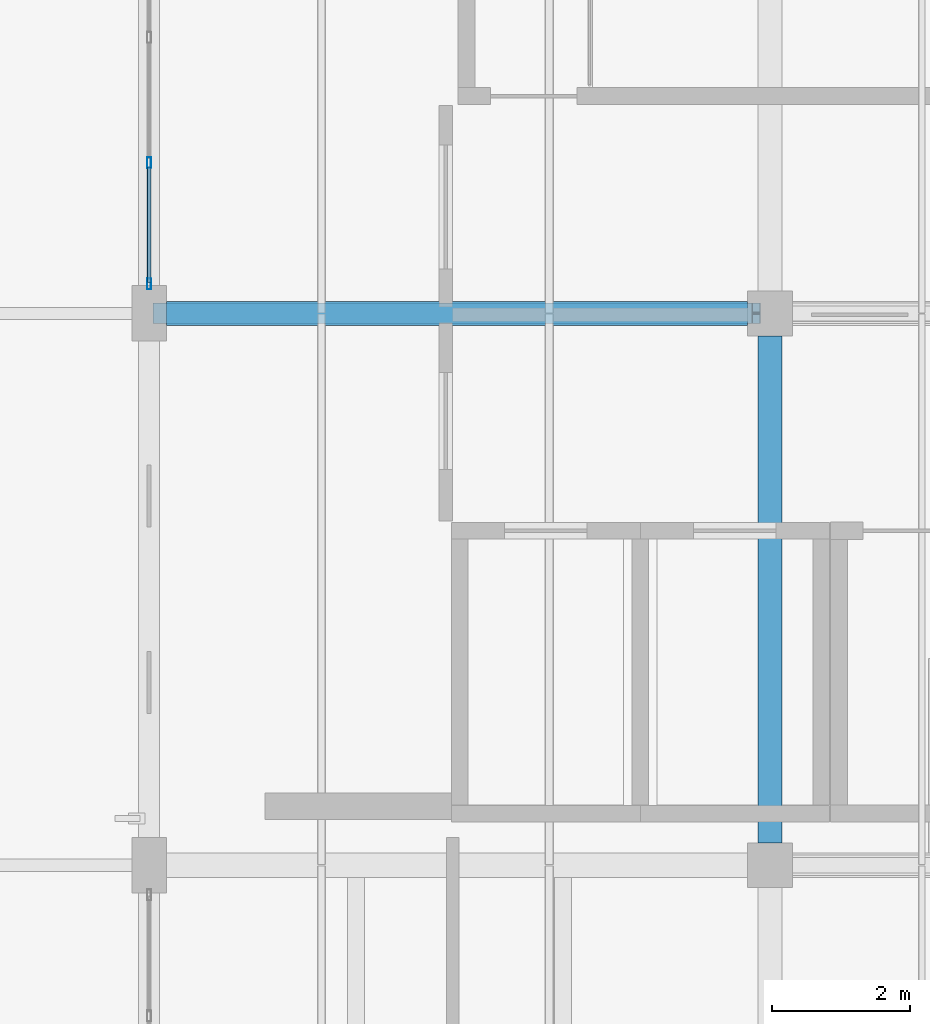
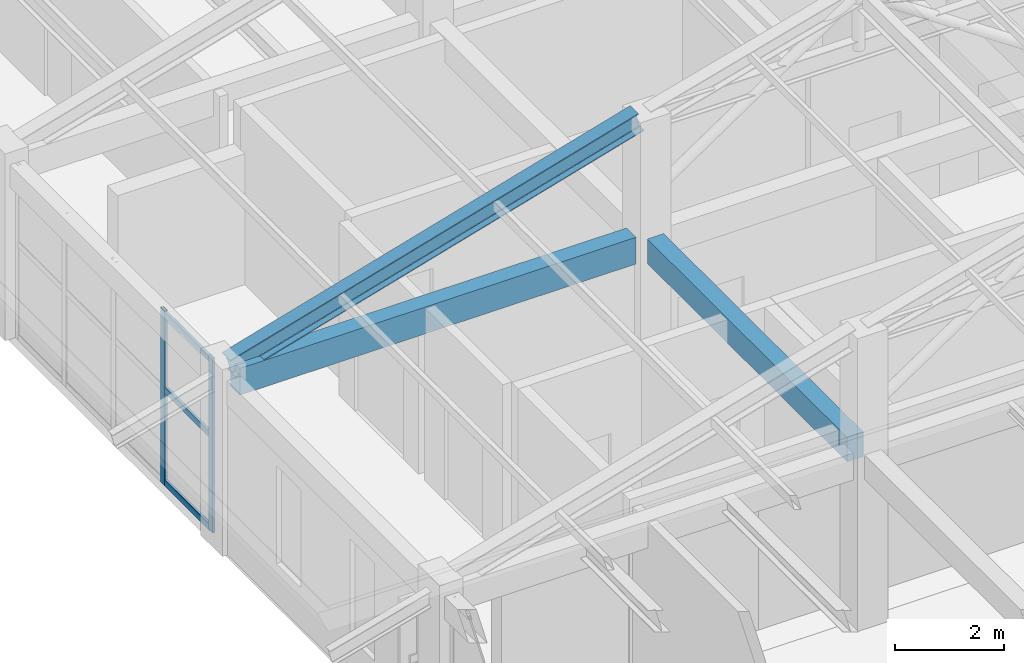
# One storey, part 18 of 58: 5 members, 3 beams, 1 element without a shape of its own.
"""IFC4 building model written with IfcOpenShell, lengths in metres."""

from ifc_helpers import new_model, si_unit, derived_unit, direction, frame, origin, origin_2d, place, context, subcontext, project, spatial, rectangle, hollow_rectangle, i_section, extrude, material, material_profile, profile_set, type_object, element, aggregate, save


model = new_model("IFC4")

# Units and contexts
model_context = context("Model", 3, precision=1e-05, world=origin(), true_north=direction((0.0, 1.0)))
body_context = subcontext(model_context, "Body", "Model", "MODEL_VIEW")
ifc_project = project(units=[si_unit("LENGTHUNIT", "METRE"), si_unit("AREAUNIT", "SQUARE_METRE"), si_unit("VOLUMEUNIT", "CUBIC_METRE"), si_unit("PLANEANGLEUNIT", "RADIAN"), si_unit("MASSUNIT", "GRAM", prefix="KILO"), derived_unit("THERMALTRANSMITTANCEUNIT", [(si_unit("MASSUNIT", "GRAM", prefix="KILO"), 1), (si_unit("TIMEUNIT", "SECOND"), -3), (si_unit("THERMODYNAMICTEMPERATUREUNIT", "KELVIN"), -1)])], contexts=[model_context])

# Site, building, storey
site_placement = place(None, origin())
site = spatial("IfcSite", under=ifc_project, at=site_placement, CompositionType="ELEMENT")
building_placement = place(site_placement, origin())
building = spatial("IfcBuilding", under=site, at=building_placement, Name="Zhenchuan Archway Interchange", CompositionType="ELEMENT")
storey_placement = place(building_placement, frame((0.0, 0.0, 22.800048828125)))
storey = spatial("IfcBuildingStorey", under=building, at=storey_placement, Name="L05", CompositionType="ELEMENT", Elevation=22.800048828125)

# Beams
ifc_material_1 = material(Name="Concrete C40", Category="concrete")
ifc_material_profile_1 = material_profile(ifc_material_1, rectangle(XDim=0.35009765625, YDim=0.550048828125, at=origin_2d()), Name="RC 350x550")
ifc_profile_set_1 = profile_set([ifc_material_profile_1], Name="Concrete C40")
beam_type_1 = type_object("IfcBeamType", Name="BM_RC_350x550", PredefinedType="BEAM", material=ifc_profile_set_1)
beam_1_placement = place(storey_placement, frame((153.0, 48.324951171875, 3.64501953125), z_axis=(0.0, 1.0, 0.0), x_axis=(-1.0, 0.0, 0.0)))
element("IfcBeam", 1, at=beam_1_placement, inside=storey, type_object=beam_type_1, Name="Beam 18:G-H (L05)", PredefinedType="BEAM", context=body_context, shape_type="SweptSolid", body=[
    extrude(rectangle(XDim=0.35009765625, YDim=0.550048828125, at=origin_2d()), origin(), (0.0, 0.0, 1.0), 7.35009765625),
])
ifc_material_profile_2 = material_profile(ifc_material_1, rectangle(XDim=0.35009765625, YDim=0.60009765625, at=origin_2d()), Name="RC 350x600")
ifc_profile_set_2 = profile_set([ifc_material_profile_2], Name="Concrete C40")
beam_type_2 = type_object("IfcBeamType", Name="BM_RC_350x600", PredefinedType="BEAM", material=ifc_profile_set_2)
beam_2_placement = place(storey_placement, frame((144.25, 56.0, 3.619873046875), z_axis=(1.0, 0.0, 0.0), x_axis=(0.0, 1.0, 0.0)))
element("IfcBeam", 2, at=beam_2_placement, inside=storey, type_object=beam_type_2, Name="Beam H:17-18 (L05)", PredefinedType="BEAM", context=body_context, shape_type="SweptSolid", body=[
    extrude(rectangle(XDim=0.35009765625, YDim=0.60009765625, at=origin_2d()), origin(), (0.0, 0.0, 1.0), 8.425048828125),
])
ifc_material_2 = material(Name="Steel Q355", Category="steel")
ifc_material_profile_3 = material_profile(ifc_material_2, i_section(OverallWidth=0.300048828125, OverallDepth=0.43994140625, WebThickness=0.010986328125, FlangeThickness=0.01806640625, FilletRadius=0.02197265625, at=origin_2d()), Name="HM 440x300")
ifc_profile_set_3 = profile_set([ifc_material_profile_3], Name="Steel Q355")
beam_type_3 = type_object("IfcBeamType", Name="BM_STL_HM440", PredefinedType="BEAM", material=ifc_profile_set_3)
beam_3_placement = place(storey_placement, frame((144.1201171875, 56.0, 3.93994140625), z_axis=(0.960641143949, 0.0, 0.277792355102), x_axis=(0.0, 1.0, 0.0)))
element("IfcBeam", 3, at=beam_3_placement, inside=storey, type_object=beam_type_3, Name="ROOF TRUSS command wing T5 west lower rafter", PredefinedType="BEAM", context=body_context, shape_type="SweptSolid", body=[
    extrude(i_section(OverallWidth=0.300048828125, OverallDepth=0.43994140625, WebThickness=0.010986328125, FlangeThickness=0.01806640625, FilletRadius=0.02197265625, at=origin_2d()), origin(), (0.0, 0.0, 1.0), 9.03564453125),
])

# Curtain wall, members
ifc_material_3 = material(Name="Anodised Aluminium", Category="aluminium")
curtain_wall_type = type_object("IfcCurtainWallType", Name="CW_UNIT_4", PredefinedType="NOTDEFINED", material=ifc_material_3)
curtain_wall_placement = place(storey_placement, origin())
curtain_wall = element("IfcCurtainWall", 4, at=curtain_wall_placement, inside=storey, type_object=curtain_wall_type, Name="Unitised curtain wall CW:L05:203", PredefinedType="NOTDEFINED")
ifc_material_profile_4 = material_profile(ifc_material_3, hollow_rectangle(XDim=0.06005859375, YDim=0.159912109375, WallThickness=0.00390625, InnerFilletRadius=0.00390625, OuterFilletRadius=0.008056640625, at=origin_2d()), Name="ALU 160x60x4")
ifc_profile_set_4 = profile_set([ifc_material_profile_4], Name="Anodised Aluminium")
member_type_1 = type_object("IfcMemberType", Name="CW_MUL_150", PredefinedType="MULLION", material=ifc_profile_set_4)
member_1_placement = place(storey_placement, frame((144.0, 56.427978515625, 0.0), z_axis=(0.0, 0.0, 1.0), x_axis=(1.0, 0.0, 0.0)))
member_1 = element("IfcMember", 5, at=member_1_placement, type_object=member_type_1, Name="CW:L05:203 mullion 0", PredefinedType="MULLION", context=body_context, shape_type="SweptSolid", body=[
    extrude(hollow_rectangle(XDim=0.06005859375, YDim=0.159912109375, WallThickness=0.00390625, InnerFilletRadius=0.00390625, OuterFilletRadius=0.008056640625, at=origin_2d()), origin(), (0.0, 0.0, 1.0), 3.919921875),
])
member_2_placement = place(storey_placement, frame((144.0, 58.18408203125, 0.0), z_axis=(0.0, 0.0, 1.0), x_axis=(1.0, 0.0, 0.0)))
member_2 = element("IfcMember", 6, at=member_2_placement, type_object=member_type_1, Name="CW:L05:203 mullion 1", PredefinedType="MULLION", context=body_context, shape_type="SweptSolid", body=[
    extrude(hollow_rectangle(XDim=0.06005859375, YDim=0.159912109375, WallThickness=0.00390625, InnerFilletRadius=0.00390625, OuterFilletRadius=0.008056640625, at=origin_2d()), origin(), (0.0, 0.0, 1.0), 3.919921875),
])
ifc_material_profile_5 = material_profile(ifc_material_3, hollow_rectangle(XDim=0.06005859375, YDim=0.139892578125, WallThickness=0.00341796875, InnerFilletRadius=0.00341796875, OuterFilletRadius=0.007080078125, at=origin_2d()), Name="ALU 140x60x3.5")
ifc_profile_set_5 = profile_set([ifc_material_profile_5], Name="Anodised Aluminium")
member_type_2 = type_object("IfcMemberType", Name="CW_TRN_140", PredefinedType="USERDEFINED", material=ifc_profile_set_5)
member_3_placement = place(storey_placement, frame((144.0, 56.447998046875, 0.06005859375), z_axis=(0.0, 1.0, 0.0), x_axis=(-1.0, 0.0, 0.0)))
member_3 = element("IfcMember", 7, at=member_3_placement, type_object=member_type_2, Name="CW:L05:203 transom 0-1", ObjectType="TRANSOM", PredefinedType="USERDEFINED", context=body_context, shape_type="SweptSolid", body=[
    extrude(hollow_rectangle(XDim=0.06005859375, YDim=0.139892578125, WallThickness=0.00341796875, InnerFilletRadius=0.00341796875, OuterFilletRadius=0.007080078125, at=origin_2d()), origin(), (0.0, 0.0, 1.0), 1.676025390625),
])
member_4_placement = place(storey_placement, frame((144.0, 56.447998046875, 2.14501953125), z_axis=(0.0, 1.0, 0.0), x_axis=(-1.0, 0.0, 0.0)))
member_4 = element("IfcMember", 8, at=member_4_placement, type_object=member_type_2, Name="CW:L05:203 transom 0-2", ObjectType="TRANSOM", PredefinedType="USERDEFINED", context=body_context, shape_type="SweptSolid", body=[
    extrude(hollow_rectangle(XDim=0.06005859375, YDim=0.139892578125, WallThickness=0.00341796875, InnerFilletRadius=0.00341796875, OuterFilletRadius=0.007080078125, at=origin_2d()), origin(), (0.0, 0.0, 1.0), 1.676025390625),
])
member_5_placement = place(storey_placement, frame((144.0, 56.447998046875, 3.83984375), z_axis=(0.0, 1.0, 0.0), x_axis=(-1.0, 0.0, 0.0)))
member_5 = element("IfcMember", 9, at=member_5_placement, type_object=member_type_2, Name="CW:L05:203 transom 0-3", ObjectType="TRANSOM", PredefinedType="USERDEFINED", context=body_context, shape_type="SweptSolid", body=[
    extrude(hollow_rectangle(XDim=0.06005859375, YDim=0.139892578125, WallThickness=0.00341796875, InnerFilletRadius=0.00341796875, OuterFilletRadius=0.007080078125, at=origin_2d()), origin(), (0.0, 0.0, 1.0), 1.676025390625),
])
aggregate(curtain_wall, [member_1, member_2, member_3, member_4, member_5])

save(model, "model.ifc")
